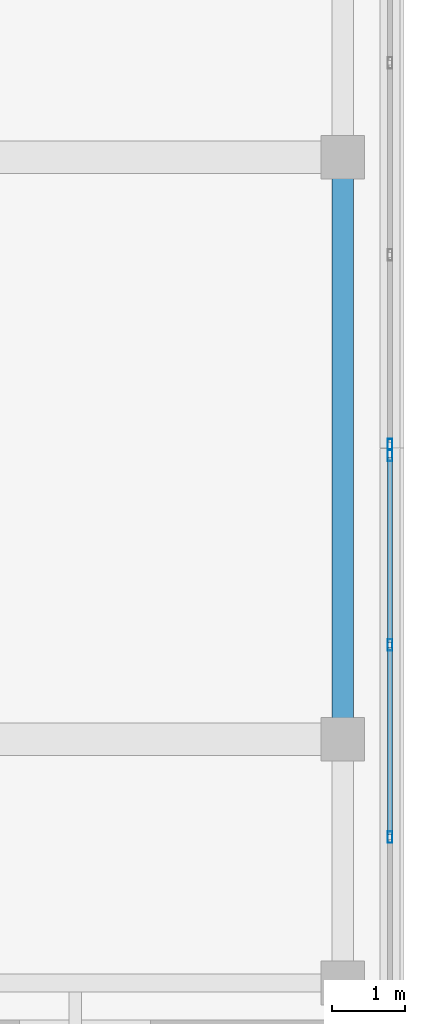
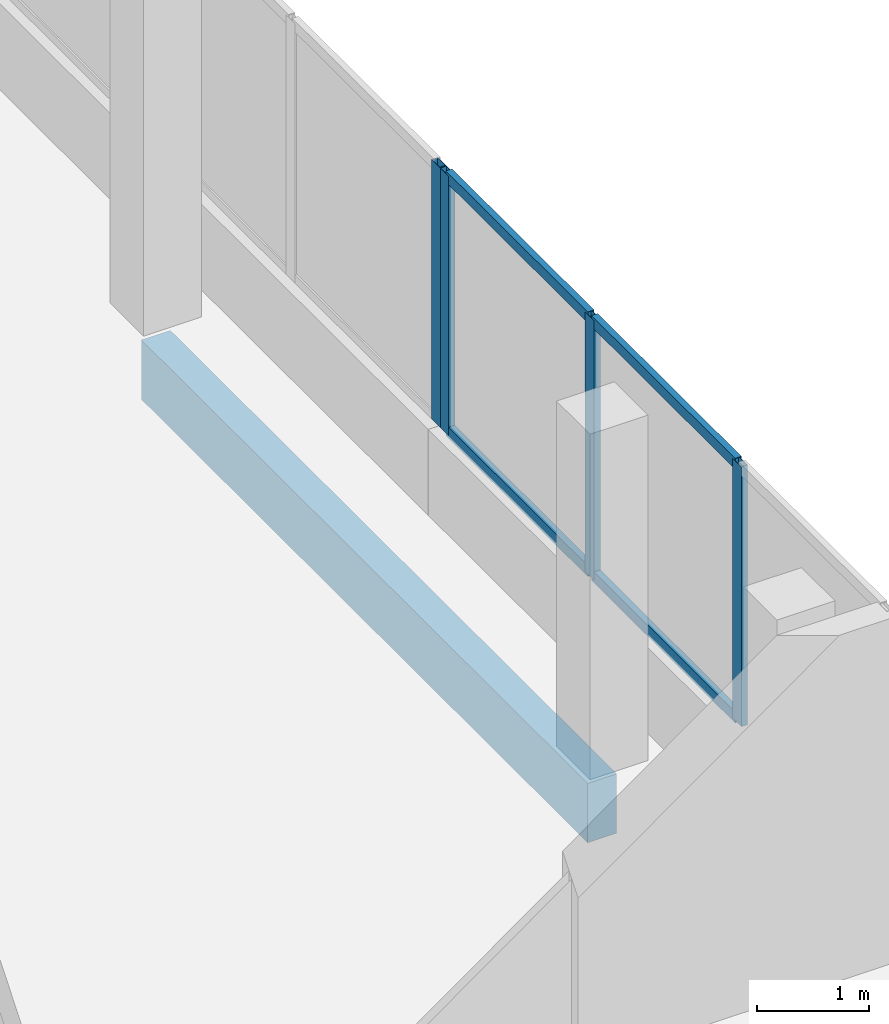
# One storey, part 52 of 76: 8 members, 1 beam, 2 elements without a shape of their own.
"""IFC4 building model written with IfcOpenShell, lengths in metres."""

from ifc_helpers import new_model, si_unit, direction, frame, origin, origin_2d, place, context, subcontext, project, spatial, rectangle, hollow_rectangle, extrude, material, material_profile, profile_set, type_object, element, aggregate, save


model = new_model("IFC4")

# Units and contexts
model_context = context("Model", 3, precision=1e-05, world=origin(), true_north=direction((0.0, 1.0)))
body_context = subcontext(model_context, "Body", "Model", "MODEL_VIEW")
ifc_project = project(units=[si_unit("LENGTHUNIT", "METRE"), si_unit("AREAUNIT", "SQUARE_METRE"), si_unit("VOLUMEUNIT", "CUBIC_METRE"), si_unit("PLANEANGLEUNIT", "RADIAN"), si_unit("MASSUNIT", "GRAM", prefix="KILO")], contexts=[model_context])

# Site, building, storey
site_placement = place(None, origin())
site = spatial("IfcSite", under=ifc_project, at=site_placement, CompositionType="ELEMENT")
building_placement = place(site_placement, origin())
building = spatial("IfcBuilding", under=site, at=building_placement, Name="Selatvlak General Hospital", CompositionType="ELEMENT")
storey_placement = place(building_placement, frame((0.0, 0.0, 27.300048828125)))
storey = spatial("IfcBuildingStorey", under=building, at=storey_placement, Name="L06", CompositionType="ELEMENT", Elevation=27.300048828125)

# Beam
ifc_material_1 = material(Name="Concrete C40/50", Category="concrete")
ifc_material_profile_1 = material_profile(ifc_material_1, rectangle(XDim=0.300048828125, YDim=0.64990234375, at=origin_2d()), Name="RC-SP 300x650")
ifc_profile_set_1 = profile_set([ifc_material_profile_1], Name="Concrete C40/50")
beam_type = type_object("IfcBeamType", Name="BM-SP1", PredefinedType="SPANDREL", material=ifc_profile_set_1)
beam_placement = place(storey_placement, frame((181.35009765625, 92.0, -0.60009765625), z_axis=(0.0, 1.0, 0.0), x_axis=(-1.0, 0.0, 0.0)))
element("IfcBeam", 1, at=beam_placement, inside=storey, type_object=beam_type, Name="Beam BMR-L06-2350", PredefinedType="SPANDREL", context=body_context, shape_type="SweptSolid", body=[
    extrude(rectangle(XDim=0.300048828125, YDim=0.64990234375, at=origin_2d()), origin(), (0.0, 0.0, 1.0), 8.0),
])

# Curtain wall, member
ifc_material_2 = material(Name="Solar-control Low-E double glazing", Category="glass")
curtain_wall_type_1 = type_object("IfcCurtainWallType", Name="CW-CW-02", PredefinedType="USERDEFINED", material=ifc_material_2)
curtain_wall_1_placement = place(storey_placement, origin())
curtain_wall_1 = element("IfcCurtainWall", 2, at=curtain_wall_1_placement, inside=storey, type_object=curtain_wall_type_1, Name="Glazed facade curtain wall CW-L06-0619", ObjectType="UNITISED CURTAIN WALL", PredefinedType="USERDEFINED")
ifc_material_3 = material(Name="Dark anodised aluminium mullion", Category="aluminium")
ifc_material_profile_2 = material_profile(ifc_material_3, hollow_rectangle(XDim=0.06494140625, YDim=0.159912109375, WallThickness=0.00390625, at=origin_2d()), Name="AL-MUL 65x160x4")
ifc_profile_set_2 = profile_set([ifc_material_profile_2], Name="Dark anodised aluminium mullion")
member_type_1 = type_object("IfcMemberType", Name="CWM-01", PredefinedType="MULLION", material=ifc_profile_set_2)
member_1_placement = place(storey_placement, frame((182.0, 96.048583984375, 0.93994140625), z_axis=(0.0, 0.0, 1.0), x_axis=(1.0, 0.0, 0.0)))
member_1 = element("IfcMember", 3, at=member_1_placement, type_object=member_type_1, Name="CW-02 mullion 4", PredefinedType="MULLION", context=body_context, shape_type="SweptSolid", body=[
    extrude(hollow_rectangle(XDim=0.06494140625, YDim=0.159912109375, WallThickness=0.00390625, at=origin_2d()), origin(), (0.0, 0.0, 1.0), 2.840087890625),
])
aggregate(curtain_wall_1, [member_1])

# Curtain wall, members
curtain_wall_type_2 = type_object("IfcCurtainWallType", Name="CW-CW-01", PredefinedType="USERDEFINED", material=ifc_material_2)
curtain_wall_2_placement = place(storey_placement, origin())
curtain_wall_2 = element("IfcCurtainWall", 4, at=curtain_wall_2_placement, inside=storey, type_object=curtain_wall_type_2, Name="Glazed facade curtain wall CW-L06-0620", ObjectType="UNITISED CURTAIN WALL", PredefinedType="USERDEFINED")
member_2_placement = place(storey_placement, frame((182.0, 95.903564453125, 0.93994140625), z_axis=(0.0, 0.0, 1.0), x_axis=(1.0, 0.0, 0.0)))
member_2 = element("IfcMember", 5, at=member_2_placement, type_object=member_type_1, Name="CW-01 mullion 1", PredefinedType="MULLION", context=body_context, shape_type="SweptSolid", body=[
    extrude(hollow_rectangle(XDim=0.06494140625, YDim=0.159912109375, WallThickness=0.00390625, at=origin_2d()), origin(), (0.0, 0.0, 1.0), 2.840087890625),
])
member_3_placement = place(storey_placement, frame((182.0, 93.2958984375, 0.93994140625), z_axis=(0.0, 0.0, 1.0), x_axis=(1.0, 0.0, 0.0)))
member_3 = element("IfcMember", 6, at=member_3_placement, type_object=member_type_1, Name="CW-01 mullion 2", PredefinedType="MULLION", context=body_context, shape_type="SweptSolid", body=[
    extrude(hollow_rectangle(XDim=0.06494140625, YDim=0.159912109375, WallThickness=0.00390625, at=origin_2d()), origin(), (0.0, 0.0, 1.0), 2.840087890625),
])
member_4_placement = place(storey_placement, frame((182.0, 90.656005859375, 0.93994140625), z_axis=(0.0, 0.0, 1.0), x_axis=(1.0, 0.0, 0.0)))
member_4 = element("IfcMember", 7, at=member_4_placement, type_object=member_type_1, Name="CW-01 mullion 3", PredefinedType="MULLION", context=body_context, shape_type="SweptSolid", body=[
    extrude(hollow_rectangle(XDim=0.06494140625, YDim=0.159912109375, WallThickness=0.00390625, at=origin_2d()), origin(), (0.0, 0.0, 1.0), 2.840087890625),
])
ifc_material_profile_3 = material_profile(ifc_material_3, hollow_rectangle(XDim=0.06494140625, YDim=0.1201171875, WallThickness=0.00390625, at=origin_2d()), Name="AL-TRN 65x120x4")
ifc_profile_set_3 = profile_set([ifc_material_profile_3], Name="Dark anodised aluminium mullion")
member_type_2 = type_object("IfcMemberType", Name="CWT-01", PredefinedType="USERDEFINED", material=ifc_profile_set_3)
member_5_placement = place(storey_placement, frame((182.0, 95.87109375, 0.972412109375), z_axis=(0.0, -1.0, 0.0), x_axis=(1.0, 0.0, 0.0)))
member_5 = element("IfcMember", 8, at=member_5_placement, type_object=member_type_2, Name="CW-01 transom 1.1", ObjectType="TRANSOM", PredefinedType="USERDEFINED", context=body_context, shape_type="SweptSolid", body=[
    extrude(hollow_rectangle(XDim=0.06494140625, YDim=0.1201171875, WallThickness=0.00390625, at=origin_2d()), origin(), (0.0, 0.0, 1.0), 2.54248046875),
])
member_6_placement = place(storey_placement, frame((182.0, 95.87109375, 3.74755859375), z_axis=(0.0, -1.0, 0.0), x_axis=(1.0, 0.0, 0.0)))
member_6 = element("IfcMember", 9, at=member_6_placement, type_object=member_type_2, Name="CW-01 transom 1.2", ObjectType="TRANSOM", PredefinedType="USERDEFINED", context=body_context, shape_type="SweptSolid", body=[
    extrude(hollow_rectangle(XDim=0.06494140625, YDim=0.1201171875, WallThickness=0.00390625, at=origin_2d()), origin(), (0.0, 0.0, 1.0), 2.54248046875),
])
member_7_placement = place(storey_placement, frame((182.0, 93.263427734375, 0.972412109375), z_axis=(0.0, -1.0, 0.0), x_axis=(1.0, 0.0, 0.0)))
member_7 = element("IfcMember", 10, at=member_7_placement, type_object=member_type_2, Name="CW-01 transom 2.1", ObjectType="TRANSOM", PredefinedType="USERDEFINED", context=body_context, shape_type="SweptSolid", body=[
    extrude(hollow_rectangle(XDim=0.06494140625, YDim=0.1201171875, WallThickness=0.00390625, at=origin_2d()), origin(), (0.0, 0.0, 1.0), 2.574951171875),
])
member_8_placement = place(storey_placement, frame((182.0, 93.263427734375, 3.74755859375), z_axis=(0.0, -1.0, 0.0), x_axis=(1.0, 0.0, 0.0)))
member_8 = element("IfcMember", 11, at=member_8_placement, type_object=member_type_2, Name="CW-01 transom 2.2", ObjectType="TRANSOM", PredefinedType="USERDEFINED", context=body_context, shape_type="SweptSolid", body=[
    extrude(hollow_rectangle(XDim=0.06494140625, YDim=0.1201171875, WallThickness=0.00390625, at=origin_2d()), origin(), (0.0, 0.0, 1.0), 2.574951171875),
])
aggregate(curtain_wall_2, [member_2, member_3, member_4, member_5, member_6, member_7, member_8])

save(model, "model.ifc")
